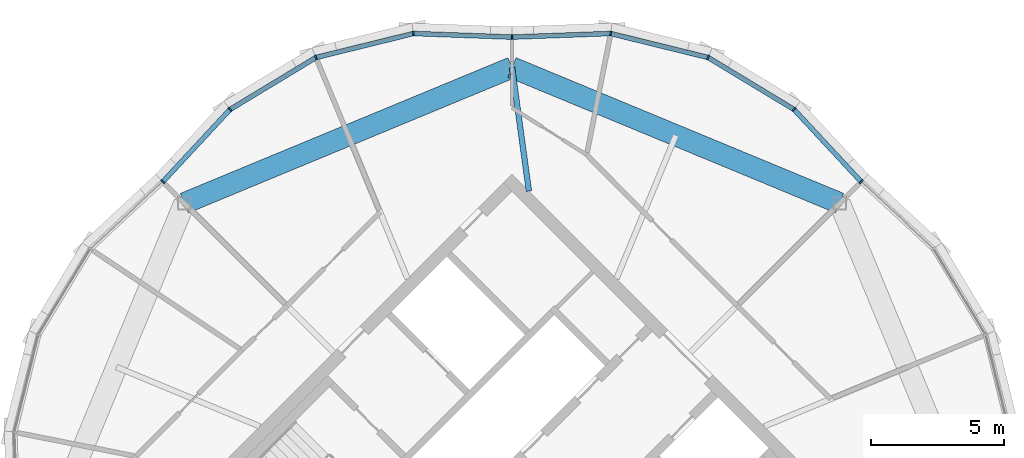
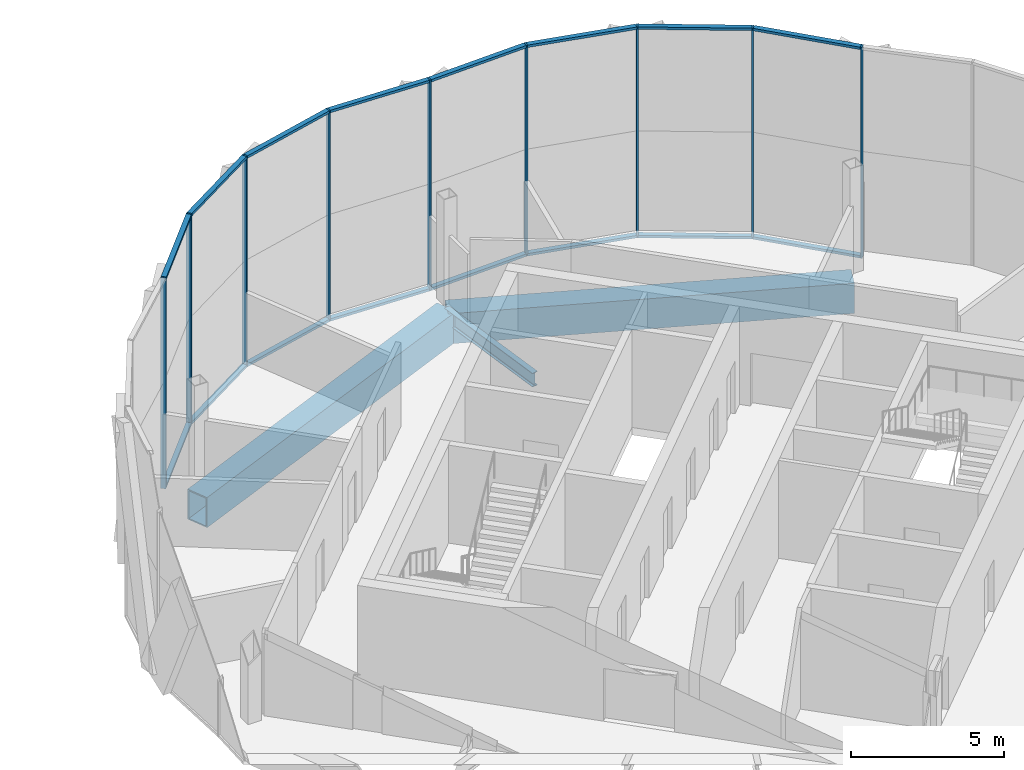
# One storey, part 12 of 24: 25 members, 3 beams, 3 elements without a shape of their own.
"""IFC4 building model written with IfcOpenShell, lengths in metres."""

from ifc_helpers import new_model, si_unit, direction, frame, origin, origin_2d, place, context, subcontext, project, spatial, rectangle, hollow_rectangle, i_section, extrude, material, material_profile, profile_set, type_object, element, aggregate, save


model = new_model("IFC4")

# Units and contexts
model_context = context("Model", 3, precision=1e-05, world=origin(), true_north=direction((0.0, 1.0)))
body_context = subcontext(model_context, "Body", "Model", "MODEL_VIEW")
ifc_project = project(units=[si_unit("LENGTHUNIT", "METRE"), si_unit("AREAUNIT", "SQUARE_METRE"), si_unit("VOLUMEUNIT", "CUBIC_METRE"), si_unit("PLANEANGLEUNIT", "RADIAN"), si_unit("MASSUNIT", "GRAM", prefix="KILO")], contexts=[model_context])

# Site, building, storey
site_placement = place(None, origin())
site = spatial("IfcSite", under=ifc_project, at=site_placement, CompositionType="ELEMENT")
building_placement = place(site_placement, origin())
building = spatial("IfcBuilding", under=site, at=building_placement, Name="Ogive Gate Towers", CompositionType="ELEMENT")
storey_placement = place(building_placement, frame((0.0, 0.0, 277.199951171875)))
storey = spatial("IfcBuildingStorey", under=building, at=storey_placement, Name="L65", CompositionType="ELEMENT", Elevation=277.199951171875)

# Beams
ifc_material_1 = material(Name="Steel SM460", Category="steel")
ifc_material_profile_1 = material_profile(ifc_material_1, hollow_rectangle(XDim=0.800048828125, YDim=1.199951171875, WallThickness=0.050048828125, at=origin_2d()), Name="BX 1200x800x50")
ifc_profile_set_1 = profile_set([ifc_material_profile_1], Name="Steel SM460")
beam_type_1 = type_object("IfcBeamType", Name="Edge girder BX 1200x800x50", PredefinedType="BEAM", material=ifc_profile_set_1)
for number, where, z_axis, x_axis, name in (
    (1, (48.342529296875, 12.342529296875, -0.89990234375), (-0.923876732551, 0.382690191996, 0.0), (-0.382690191996, -0.923876732551, 0.0), "T2/L65/SBM021"),
    (2, (36.0, 17.455078125, -0.89990234375), (-0.923876732551, -0.382690191996, 0.0), (0.382690191996, -0.923876732551, 0.0), "T2/L65/SBM022"),
):
    element("IfcBeam", number, at=place(storey_placement, frame(where, z_axis=z_axis, x_axis=x_axis)), inside=storey, type_object=beam_type_1, Name=name, PredefinedType="BEAM", context=body_context, shape_type="SweptSolid", body=[
        extrude(hollow_rectangle(XDim=0.800048828125, YDim=1.199951171875, WallThickness=0.050048828125, at=origin_2d()), origin(), (0.0, 0.0, 1.0), 13.359619140625),
    ])
ifc_material_2 = material(Name="Steel SM355", Category="steel")
ifc_material_profile_2 = material_profile(ifc_material_2, i_section(OverallWidth=0.2099609375, OverallDepth=0.550048828125, WebThickness=0.010986328125, FlangeThickness=0.01708984375, FilletRadius=0.02392578125, at=origin_2d()), Name="IPE 550")
ifc_profile_set_2 = profile_set([ifc_material_profile_2], Name="Steel SM355")
beam_type_2 = type_object("IfcBeamType", Name="Radial floor beam IPE 550", PredefinedType="BEAM", material=ifc_profile_set_2)
beam_placement = place(storey_placement, frame((36.636474609375, 12.798583984375, -0.574951171875), z_axis=(-0.135426145155, 0.99078744401, 0.0), x_axis=(-0.99078744401, -0.135426145155, 0.0)))
element("IfcBeam", 3, at=beam_placement, inside=storey, type_object=beam_type_2, Name="T2/L65/SBM011", PredefinedType="BEAM", context=body_context, shape_type="SweptSolid", body=[
    extrude(i_section(OverallWidth=0.2099609375, OverallDepth=0.550048828125, WebThickness=0.010986328125, FlangeThickness=0.01708984375, FilletRadius=0.02392578125, at=origin_2d()), origin(), (0.0, 0.0, 1.0), 4.69970703125),
])

# Curtain wall, member
ifc_material_3 = material(Name="Pale metal aluminium", Category="aluminium")
curtain_wall_type = type_object("IfcCurtainWallType", Name="Tower unitised wall, high zone", PredefinedType="NOTDEFINED", material=ifc_material_3)
curtain_wall_1_placement = place(storey_placement, origin())
curtain_wall_1 = element("IfcCurtainWall", 4, at=curtain_wall_1_placement, inside=storey, type_object=curtain_wall_type, Name="CW2 T2 ECW01", PredefinedType="NOTDEFINED")
ifc_material_profile_3 = material_profile(ifc_material_3, rectangle(XDim=0.179931640625, YDim=0.06005859375, at=origin_2d()), Name="60 x 180 aluminium box")
ifc_profile_set_3 = profile_set([ifc_material_profile_3], Name="Pale metal aluminium")
member_type_1 = type_object("IfcMemberType", Name="Tower unitised wall, high zone mullion 60 x 180", PredefinedType="MULLION", material=ifc_profile_set_3)
member_1_placement = place(storey_placement, frame((49.152587890625, 13.152099609375, -0.300048828125), z_axis=(0.0, 0.0, 1.0), x_axis=(0.680963751951, 0.732317122925, 0.0)))
member_1 = element("IfcMember", 5, at=member_1_placement, type_object=member_type_1, Name="CW2 mullion", PredefinedType="MULLION", context=body_context, shape_type="SweptSolid", body=[
    extrude(rectangle(XDim=0.179931640625, YDim=0.06005859375, at=origin_2d()), origin(), (0.0, 0.0, 1.0), 8.400146484375),
])
aggregate(curtain_wall_1, [member_1])

# Curtain wall, members
curtain_wall_2_placement = place(storey_placement, origin())
curtain_wall_2 = element("IfcCurtainWall", 6, at=curtain_wall_2_placement, inside=storey, type_object=curtain_wall_type, Name="CW2 T2 ECW02", PredefinedType="NOTDEFINED")
member_2_placement = place(storey_placement, frame((46.618896484375, 15.876708984375, -0.300048828125), z_axis=(0.0, 0.0, 1.0), x_axis=(0.631000821652, 0.775782162127, 0.0)))
member_2 = element("IfcMember", 7, at=member_2_placement, type_object=member_type_1, Name="CW2 mullion", PredefinedType="MULLION", context=body_context, shape_type="SweptSolid", body=[
    extrude(rectangle(XDim=0.179931640625, YDim=0.06005859375, at=origin_2d()), origin(), (0.0, 0.0, 1.0), 8.400146484375),
])
member_3_placement = place(storey_placement, frame((43.38623046875, 17.83203125, -0.300048828125), z_axis=(0.0, 0.0, 1.0), x_axis=(0.382683432365, 0.923879532511, 0.0)))
member_3 = element("IfcMember", 8, at=member_3_placement, type_object=member_type_1, Name="CW2 mullion", PredefinedType="MULLION", context=body_context, shape_type="SweptSolid", body=[
    extrude(rectangle(XDim=0.179931640625, YDim=0.06005859375, at=origin_2d()), origin(), (0.0, 0.0, 1.0), 8.400146484375),
])
member_4_placement = place(storey_placement, frame((39.718017578125, 18.7353515625, -0.300048828125), z_axis=(0.0, 0.0, 1.0), x_axis=(0.102393229213, 0.99474400054, 0.0)))
member_4 = element("IfcMember", 9, at=member_4_placement, type_object=member_type_1, Name="CW2 mullion", PredefinedType="MULLION", context=body_context, shape_type="SweptSolid", body=[
    extrude(rectangle(XDim=0.179931640625, YDim=0.06005859375, at=origin_2d()), origin(), (0.0, 0.0, 1.0), 8.400146484375),
])
member_5_placement = place(storey_placement, frame((36.00048828125, 18.60009765625, -0.300048828125), z_axis=(0.0, 0.0, 1.0), x_axis=(-0.036294875066, 0.999341123963, 0.0)))
member_5 = element("IfcMember", 10, at=member_5_placement, type_object=member_type_1, Name="CW2 mullion", PredefinedType="MULLION", context=body_context, shape_type="SweptSolid", body=[
    extrude(rectangle(XDim=0.179931640625, YDim=0.06005859375, at=origin_2d()), origin(), (0.0, 0.0, 1.0), 8.400146484375),
])

curtain_wall_3_placement = place(storey_placement, origin())
curtain_wall_3 = element("IfcCurtainWall", 11, at=curtain_wall_3_placement, inside=storey, type_object=curtain_wall_type, Name="CW2 T2 ECW03", PredefinedType="NOTDEFINED")
member_6_placement = place(storey_placement, frame((32.281982421875, 18.7353515625, -0.300048828125), z_axis=(0.0, 0.0, 1.0), x_axis=(-0.102393229213, 0.99474400054, 0.0)))
member_6 = element("IfcMember", 12, at=member_6_placement, type_object=member_type_1, Name="CW2 mullion", PredefinedType="MULLION", context=body_context, shape_type="SweptSolid", body=[
    extrude(rectangle(XDim=0.179931640625, YDim=0.06005859375, at=origin_2d()), origin(), (0.0, 0.0, 1.0), 8.400146484375),
])
member_7_placement = place(storey_placement, frame((28.61376953125, 17.83203125, -0.300048828125), z_axis=(0.0, 0.0, 1.0), x_axis=(-0.382683432365, 0.923879532511, 0.0)))
member_7 = element("IfcMember", 13, at=member_7_placement, type_object=member_type_1, Name="CW2 mullion", PredefinedType="MULLION", context=body_context, shape_type="SweptSolid", body=[
    extrude(rectangle(XDim=0.179931640625, YDim=0.06005859375, at=origin_2d()), origin(), (0.0, 0.0, 1.0), 8.400146484375),
])
member_8_placement = place(storey_placement, frame((25.381103515625, 15.876708984375, -0.300048828125), z_axis=(0.0, 0.0, 1.0), x_axis=(-0.631000821652, 0.775782162127, 0.0)))
member_8 = element("IfcMember", 14, at=member_8_placement, type_object=member_type_1, Name="CW2 mullion", PredefinedType="MULLION", context=body_context, shape_type="SweptSolid", body=[
    extrude(rectangle(XDim=0.179931640625, YDim=0.06005859375, at=origin_2d()), origin(), (0.0, 0.0, 1.0), 8.400146484375),
])
member_9_placement = place(storey_placement, frame((22.847900390625, 13.152587890625, -0.300048828125), z_axis=(0.0, 0.0, 1.0), x_axis=(-0.732317122925, 0.680963751951, 0.0)))
member_9 = element("IfcMember", 15, at=member_9_placement, type_object=member_type_1, Name="CW2 mullion", PredefinedType="MULLION", context=body_context, shape_type="SweptSolid", body=[
    extrude(rectangle(XDim=0.179931640625, YDim=0.06005859375, at=origin_2d()), origin(), (0.0, 0.0, 1.0), 8.400146484375),
])

# Member
ifc_material_profile_4 = material_profile(ifc_material_3, rectangle(XDim=0.179931640625, YDim=0.10009765625, at=origin_2d()), Name="100 x 180 aluminium box")
ifc_profile_set_4 = profile_set([ifc_material_profile_4], Name="Pale metal aluminium")
member_type_2 = type_object("IfcMemberType", Name="Tower unitised wall, high zone transom 100 x 180", PredefinedType="USERDEFINED", material=ifc_profile_set_4)
member_10_placement = place(storey_placement, frame((49.131591796875, 13.174560546875, 8.050048828125), z_axis=(-0.681003345647, 0.732280303721, 0.0), x_axis=(-0.732280303721, -0.681003345647, 0.0)))
member_10 = element("IfcMember", 16, at=member_10_placement, type_object=member_type_2, Name="CW2 transom", ObjectType="TRANSOM", PredefinedType="USERDEFINED", context=body_context, shape_type="SweptSolid", body=[
    extrude(rectangle(XDim=0.179931640625, YDim=0.10009765625, at=origin_2d()), origin(), (0.0, 0.0, 1.0), 3.661376953125),
])

member_11_placement = place(storey_placement, frame((49.131591796875, 13.174560546875, -0.25), z_axis=(-0.681003345647, 0.732280303721, 0.0), x_axis=(-0.732280303721, -0.681003345647, 0.0)))
member_11 = element("IfcMember", 17, at=member_11_placement, type_object=member_type_2, Name="CW2 transom", ObjectType="TRANSOM", PredefinedType="USERDEFINED", context=body_context, shape_type="SweptSolid", body=[
    extrude(rectangle(XDim=0.179931640625, YDim=0.10009765625, at=origin_2d()), origin(), (0.0, 0.0, 1.0), 3.661376953125),
])

member_12_placement = place(storey_placement, frame((46.59423828125, 15.8916015625, 8.050048828125), z_axis=(-0.855663733018, 0.51753219803, 0.0), x_axis=(-0.51753219803, -0.855663733018, 0.0)))
member_12 = element("IfcMember", 18, at=member_12_placement, type_object=member_type_2, Name="CW2 transom", ObjectType="TRANSOM", PredefinedType="USERDEFINED", context=body_context, shape_type="SweptSolid", body=[
    extrude(rectangle(XDim=0.179931640625, YDim=0.10009765625, at=origin_2d()), origin(), (0.0, 0.0, 1.0), 3.720703125),
])

member_13_placement = place(storey_placement, frame((46.59423828125, 15.8916015625, -0.25), z_axis=(-0.855663733018, 0.51753219803, 0.0), x_axis=(-0.51753219803, -0.855663733018, 0.0)))
member_13 = element("IfcMember", 19, at=member_13_placement, type_object=member_type_2, Name="CW2 transom", ObjectType="TRANSOM", PredefinedType="USERDEFINED", context=body_context, shape_type="SweptSolid", body=[
    extrude(rectangle(XDim=0.179931640625, YDim=0.10009765625, at=origin_2d()), origin(), (0.0, 0.0, 1.0), 3.720703125),
])

member_14_placement = place(storey_placement, frame((43.358642578125, 17.838623046875, 8.050048828125), z_axis=(-0.97099707115, 0.239091379639, 0.0), x_axis=(-0.239091379639, -0.97099707115, 0.0)))
member_14 = element("IfcMember", 20, at=member_14_placement, type_object=member_type_2, Name="CW2 transom", ObjectType="TRANSOM", PredefinedType="USERDEFINED", context=body_context, shape_type="SweptSolid", body=[
    extrude(rectangle(XDim=0.179931640625, YDim=0.10009765625, at=origin_2d()), origin(), (0.0, 0.0, 1.0), 3.720947265625),
])

member_15_placement = place(storey_placement, frame((43.358642578125, 17.838623046875, -0.25), z_axis=(-0.97099707115, 0.239091379639, 0.0), x_axis=(-0.239091379639, -0.97099707115, 0.0)))
member_15 = element("IfcMember", 21, at=member_15_placement, type_object=member_type_2, Name="CW2 transom", ObjectType="TRANSOM", PredefinedType="USERDEFINED", context=body_context, shape_type="SweptSolid", body=[
    extrude(rectangle(XDim=0.179931640625, YDim=0.10009765625, at=origin_2d()), origin(), (0.0, 0.0, 1.0), 3.720947265625),
])

member_16_placement = place(storey_placement, frame((39.689453125, 18.734130859375, 8.050048828125), z_axis=(-0.999341961057, -0.036271819243, 0.0), x_axis=(0.036271819243, -0.999341961057, 0.0)))
member_16 = element("IfcMember", 22, at=member_16_placement, type_object=member_type_2, Name="CW2 transom", ObjectType="TRANSOM", PredefinedType="USERDEFINED", context=body_context, shape_type="SweptSolid", body=[
    extrude(rectangle(XDim=0.179931640625, YDim=0.10009765625, at=origin_2d()), origin(), (0.0, 0.0, 1.0), 3.66162109375),
])

member_17_placement = place(storey_placement, frame((39.689453125, 18.734130859375, -0.25), z_axis=(-0.999341961057, -0.036271819243, 0.0), x_axis=(0.036271819243, -0.999341961057, 0.0)))
member_17 = element("IfcMember", 23, at=member_17_placement, type_object=member_type_2, Name="CW2 transom", ObjectType="TRANSOM", PredefinedType="USERDEFINED", context=body_context, shape_type="SweptSolid", body=[
    extrude(rectangle(XDim=0.179931640625, YDim=0.10009765625, at=origin_2d()), origin(), (0.0, 0.0, 1.0), 3.66162109375),
])

aggregate(curtain_wall_2, [member_2, member_10, member_11, member_3, member_12, member_13, member_4, member_14, member_15, member_5, member_16, member_17])

member_18_placement = place(storey_placement, frame((35.9697265625, 18.601318359375, 8.050048828125), z_axis=(-0.999341961057, 0.036271819243, 0.0), x_axis=(-0.036271819243, -0.999341961057, 0.0)))
member_18 = element("IfcMember", 24, at=member_18_placement, type_object=member_type_2, Name="CW2 transom", ObjectType="TRANSOM", PredefinedType="USERDEFINED", context=body_context, shape_type="SweptSolid", body=[
    extrude(rectangle(XDim=0.179931640625, YDim=0.10009765625, at=origin_2d()), origin(), (0.0, 0.0, 1.0), 3.66162109375),
])

member_19_placement = place(storey_placement, frame((35.9697265625, 18.601318359375, -0.25), z_axis=(-0.999341961057, 0.036271819243, 0.0), x_axis=(-0.036271819243, -0.999341961057, 0.0)))
member_19 = element("IfcMember", 25, at=member_19_placement, type_object=member_type_2, Name="CW2 transom", ObjectType="TRANSOM", PredefinedType="USERDEFINED", context=body_context, shape_type="SweptSolid", body=[
    extrude(rectangle(XDim=0.179931640625, YDim=0.10009765625, at=origin_2d()), origin(), (0.0, 0.0, 1.0), 3.66162109375),
])

member_20_placement = place(storey_placement, frame((32.25439453125, 18.728271484375, 8.050048828125), z_axis=(-0.97099707115, -0.239091379639, 0.0), x_axis=(0.239091379639, -0.97099707115, 0.0)))
member_20 = element("IfcMember", 26, at=member_20_placement, type_object=member_type_2, Name="CW2 transom", ObjectType="TRANSOM", PredefinedType="USERDEFINED", context=body_context, shape_type="SweptSolid", body=[
    extrude(rectangle(XDim=0.179931640625, YDim=0.10009765625, at=origin_2d()), origin(), (0.0, 0.0, 1.0), 3.720947265625),
])

member_21_placement = place(storey_placement, frame((32.25439453125, 18.728271484375, -0.25), z_axis=(-0.97099707115, -0.239091379639, 0.0), x_axis=(0.239091379639, -0.97099707115, 0.0)))
member_21 = element("IfcMember", 27, at=member_21_placement, type_object=member_type_2, Name="CW2 transom", ObjectType="TRANSOM", PredefinedType="USERDEFINED", context=body_context, shape_type="SweptSolid", body=[
    extrude(rectangle(XDim=0.179931640625, YDim=0.10009765625, at=origin_2d()), origin(), (0.0, 0.0, 1.0), 3.720947265625),
])

member_22_placement = place(storey_placement, frame((28.58935546875, 17.817138671875, 8.050048828125), z_axis=(-0.855663733018, -0.51753219803, 0.0), x_axis=(0.51753219803, -0.855663733018, 0.0)))
member_22 = element("IfcMember", 28, at=member_22_placement, type_object=member_type_2, Name="CW2 transom", ObjectType="TRANSOM", PredefinedType="USERDEFINED", context=body_context, shape_type="SweptSolid", body=[
    extrude(rectangle(XDim=0.179931640625, YDim=0.10009765625, at=origin_2d()), origin(), (0.0, 0.0, 1.0), 3.720703125),
])

member_23_placement = place(storey_placement, frame((28.58935546875, 17.817138671875, -0.25), z_axis=(-0.855663733018, -0.51753219803, 0.0), x_axis=(0.51753219803, -0.855663733018, 0.0)))
member_23 = element("IfcMember", 29, at=member_23_placement, type_object=member_type_2, Name="CW2 transom", ObjectType="TRANSOM", PredefinedType="USERDEFINED", context=body_context, shape_type="SweptSolid", body=[
    extrude(rectangle(XDim=0.179931640625, YDim=0.10009765625, at=origin_2d()), origin(), (0.0, 0.0, 1.0), 3.720703125),
])

member_24_placement = place(storey_placement, frame((25.36181640625, 15.855712890625, 8.050048828125), z_axis=(-0.681003345647, -0.732280303721, 0.0), x_axis=(0.732280303721, -0.681003345647, 0.0)))
member_24 = element("IfcMember", 30, at=member_24_placement, type_object=member_type_2, Name="CW2 transom", ObjectType="TRANSOM", PredefinedType="USERDEFINED", context=body_context, shape_type="SweptSolid", body=[
    extrude(rectangle(XDim=0.179931640625, YDim=0.10009765625, at=origin_2d()), origin(), (0.0, 0.0, 1.0), 3.661376953125),
])

member_25_placement = place(storey_placement, frame((25.36181640625, 15.855712890625, -0.25), z_axis=(-0.681003345647, -0.732280303721, 0.0), x_axis=(0.732280303721, -0.681003345647, 0.0)))
member_25 = element("IfcMember", 31, at=member_25_placement, type_object=member_type_2, Name="CW2 transom", ObjectType="TRANSOM", PredefinedType="USERDEFINED", context=body_context, shape_type="SweptSolid", body=[
    extrude(rectangle(XDim=0.179931640625, YDim=0.10009765625, at=origin_2d()), origin(), (0.0, 0.0, 1.0), 3.661376953125),
])

aggregate(curtain_wall_3, [member_6, member_18, member_19, member_7, member_20, member_21, member_8, member_22, member_23, member_9, member_24, member_25])

save(model, "model.ifc")
